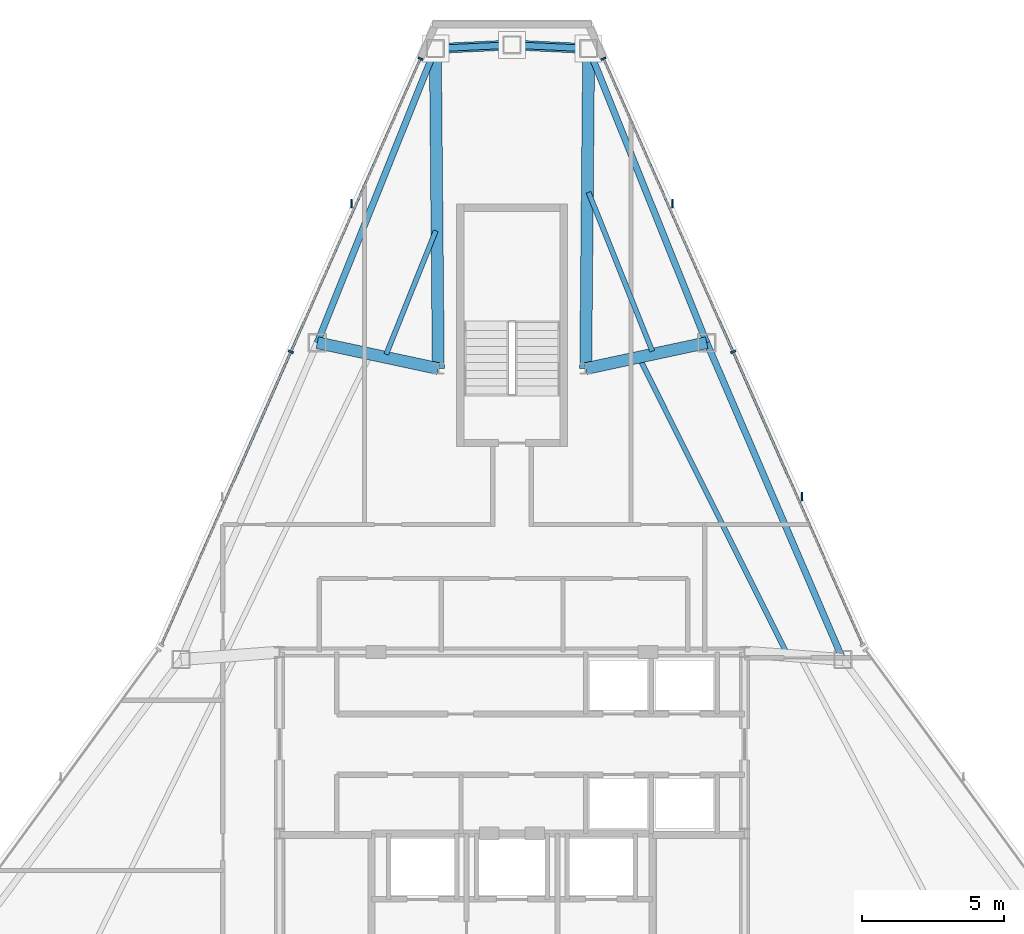
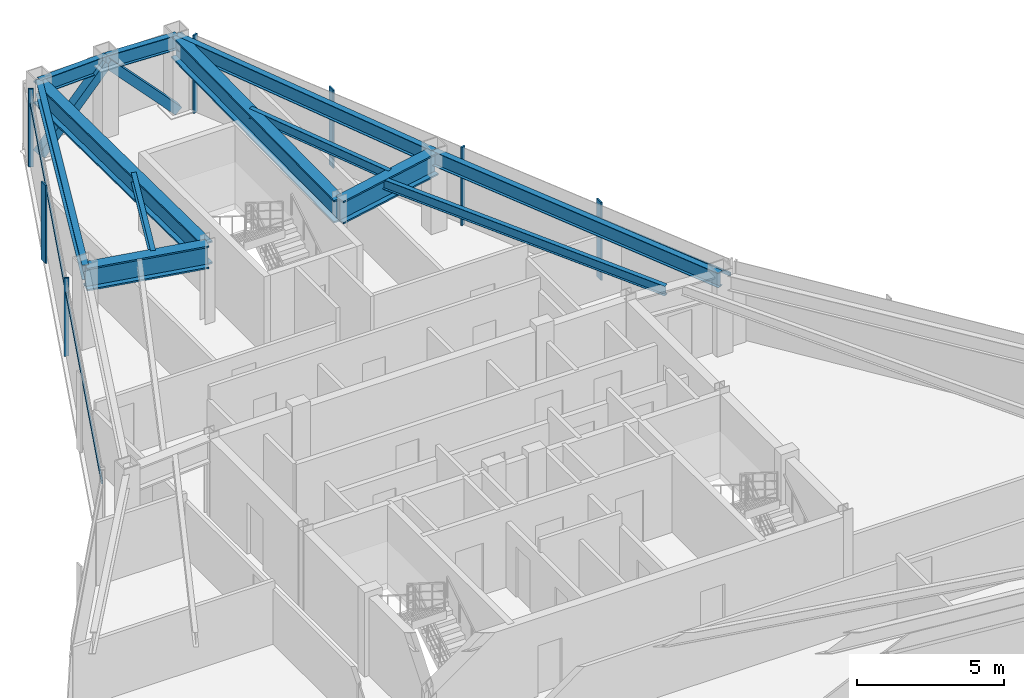
# One storey, part 7 of 12: 12 beams, 11 members, 2 elements without a shape of their own.
"""IFC4 building model written with IfcOpenShell, lengths in metres."""

from ifc_helpers import new_model, si_unit, direction, frame, origin, origin_2d, place, context, subcontext, project, spatial, rectangle, hollow_rectangle, i_section, extrude, source, transform, mapped, material, layer, layer_set, material_profile, profile_set, type_object, type_shapes, element, aggregate, save


model = new_model("IFC4")

# Units and contexts
model_context = context("Model", 3, precision=1e-05, world=origin(), true_north=direction((0.0, 1.0)))
body_context = subcontext(model_context, "Body", "Model", "MODEL_VIEW")
ifc_project = project(units=[si_unit("LENGTHUNIT", "METRE"), si_unit("AREAUNIT", "SQUARE_METRE"), si_unit("VOLUMEUNIT", "CUBIC_METRE"), si_unit("PLANEANGLEUNIT", "RADIAN"), si_unit("MASSUNIT", "GRAM", prefix="KILO")], contexts=[model_context])

# Site, building, storey
site_placement = place(None, origin())
site = spatial("IfcSite", under=ifc_project, at=site_placement, CompositionType="ELEMENT")
building_placement = place(site_placement, origin())
building = spatial("IfcBuilding", under=site, at=building_placement, Name="Varakhsha Concourse Tower", CompositionType="ELEMENT")
storey_placement = place(building_placement, frame((0.0, 0.0, 269.0)))
storey = spatial("IfcBuildingStorey", under=building, at=storey_placement, Name="L76", CompositionType="ELEMENT", Elevation=269.0)

# Beams
ifc_material_1 = material(Name="Structural Steel ASTM A992 Grade 50", Category="steel")
ifc_material_profile_1 = material_profile(ifc_material_1, i_section(OverallWidth=0.177978515625, OverallDepth=0.406982421875, WebThickness=0.008056640625, FlangeThickness=0.012939453125, at=origin_2d()), Name="W16X40")
ifc_profile_set_1 = profile_set([ifc_material_profile_1], Name="Structural Steel ASTM A992 Grade 50")
beam_type_1 = type_object("IfcBeamType", Name="BM-JST-W16X40", PredefinedType="JOIST", material=ifc_profile_set_1)
beam_1_placement = place(storey_placement, frame((37.3134765625, 46.065185546875, 3.04638671875), z_axis=(-0.372581792415, -0.927999357737, 0.0), x_axis=(0.927999357737, -0.372581792415, 0.0)))
element("IfcBeam", 1, at=beam_1_placement, inside=storey, type_object=beam_type_1, Name="BM-TJST-L76-03", PredefinedType="JOIST", context=body_context, shape_type="SweptSolid", body=[
    extrude(i_section(OverallWidth=0.177978515625, OverallDepth=0.406982421875, WebThickness=0.008056640625, FlangeThickness=0.012939453125, at=origin_2d()), origin(), (0.0, 0.0, 1.0), 4.698974609375),
])
beam_2_placement = place(storey_placement, frame((49.677978515625, 31.18310546875, 3.04638671875), z_axis=(-0.446527703162, 0.894769808559, 0.0), x_axis=(-0.894769808559, -0.446527703162, 0.0)))
element("IfcBeam", 2, at=beam_2_placement, inside=storey, type_object=beam_type_1, Name="BM-TJST-L76-17", PredefinedType="JOIST", context=body_context, shape_type="SweptSolid", body=[
    extrude(i_section(OverallWidth=0.177978515625, OverallDepth=0.406982421875, WebThickness=0.008056640625, FlangeThickness=0.012939453125, at=origin_2d()), origin(), (0.0, 0.0, 1.0), 11.534912109375),
])
beam_3_placement = place(storey_placement, frame((44.949462890625, 41.814453125, 3.04638671875), z_axis=(-0.372526263969, 0.928021649884, 0.0), x_axis=(-0.928021649884, -0.372526263969, 0.0)))
element("IfcBeam", 3, at=beam_3_placement, inside=storey, type_object=beam_type_1, Name="BM-TJST-L76-18", PredefinedType="JOIST", context=body_context, shape_type="SweptSolid", body=[
    extrude(i_section(OverallWidth=0.177978515625, OverallDepth=0.406982421875, WebThickness=0.008056640625, FlangeThickness=0.012939453125, at=origin_2d()), origin(), (0.0, 0.0, 1.0), 6.04052734375),
])
ifc_material_profile_2 = material_profile(ifc_material_1, i_section(OverallWidth=0.423095703125, OverallDepth=0.947998046875, WebThickness=0.0380859375, FlangeThickness=0.06396484375, at=origin_2d()), Name="W36X302")
ifc_profile_set_2 = profile_set([ifc_material_profile_2], Name="Structural Steel ASTM A992 Grade 50")
beam_type_2 = type_object("IfcBeamType", Name="BM-OUTR-W36X302", PredefinedType="USERDEFINED", material=ifc_profile_set_2)
for number, where, z_axis, x_axis, name in (
    (4, (42.60009765625, 41.199951171875, 2.77587890625), (0.009168768167, 0.999957965962, 0.0), (-0.999957965962, 0.009168768167, 0.0), "L76 Radial Floor Girder 01"),
    (5, (37.39990234375, 41.199951171875, 2.77587890625), (-0.009168768167, 0.999957965962, 0.0), (-0.999957965962, -0.009168768167, 0.0), "L76 Radial Floor Girder 03"),
):
    element("IfcBeam", number, at=place(storey_placement, frame(where, z_axis=z_axis, x_axis=x_axis)), inside=storey, type_object=beam_type_2, Name=name, ObjectType="GIRDER", PredefinedType="USERDEFINED", context=body_context, shape_type="SweptSolid", body=[
        extrude(i_section(OverallWidth=0.423095703125, OverallDepth=0.947998046875, WebThickness=0.0380859375, FlangeThickness=0.06396484375, at=origin_2d()), origin(), (0.0, 0.0, 1.0), 11.2900390625),
    ])
for number, where, z_axis, x_axis, name in (
    (6, (37.39990234375, 41.199951171875, 2.77587890625), (-0.977799958889, 0.209540545951, 0.0), (-0.209540545951, -0.977799958889, 0.0), "L76 Radial Floor Girder 04"),
    (7, (42.60009765625, 41.199951171875, 2.77587890625), (0.977799958889, 0.209540545951, 0.0), (-0.209540545951, 0.977799958889, 0.0), "L76 Radial Floor Girder 18"),
):
    element("IfcBeam", number, at=place(storey_placement, frame(where, z_axis=z_axis, x_axis=x_axis)), inside=storey, type_object=beam_type_2, Name=name, ObjectType="GIRDER", PredefinedType="USERDEFINED", context=body_context, shape_type="SweptSolid", body=[
        extrude(i_section(OverallWidth=0.423095703125, OverallDepth=0.947998046875, WebThickness=0.0380859375, FlangeThickness=0.06396484375, at=origin_2d()), origin(), (0.0, 0.0, 1.0), 4.36572265625),
    ])
ifc_material_profile_3 = material_profile(ifc_material_1, i_section(OverallWidth=0.22900390625, OverallDepth=0.612060546875, WebThickness=0.011962890625, FlangeThickness=0.02001953125, at=origin_2d()), Name="W24X84")
ifc_profile_set_3 = profile_set([ifc_material_profile_3], Name="Structural Steel ASTM A992 Grade 50")
beam_type_3 = type_object("IfcBeamType", Name="BM-SPAN-W24X84", PredefinedType="SPANDREL", material=ifc_profile_set_3)
for number, where, z_axis, x_axis, name in (
    (8, (42.70361328125, 52.489501953125, 2.944091796875), (-0.998890878877, 0.047085157917, 0.0), (-0.047085157917, -0.998890878877, 0.0), "BM-SPAN-L76-01"),
    (9, (40.0, 52.616943359375, 2.944091796875), (-0.998890878877, -0.047085157917, 0.0), (0.047085157917, -0.998890878877, 0.0), "BM-SPAN-L76-02"),
):
    element("IfcBeam", number, at=place(storey_placement, frame(where, z_axis=z_axis, x_axis=x_axis)), inside=storey, type_object=beam_type_3, Name=name, PredefinedType="SPANDREL", context=body_context, shape_type="SweptSolid", body=[
        extrude(i_section(OverallWidth=0.22900390625, OverallDepth=0.612060546875, WebThickness=0.011962890625, FlangeThickness=0.02001953125, at=origin_2d()), origin(), (0.0, 0.0, 1.0), 2.70654296875),
    ])
beam_4_placement = place(storey_placement, frame((37.29638671875, 52.489501953125, 2.944091796875), z_axis=(-0.372576397184, -0.928001523846, 0.0), x_axis=(0.928001523846, -0.372576397184, 0.0)))
element("IfcBeam", 10, at=beam_4_placement, inside=storey, type_object=beam_type_3, Name="BM-SPAN-L76-03", PredefinedType="SPANDREL", context=body_context, shape_type="SweptSolid", body=[
    extrude(i_section(OverallWidth=0.22900390625, OverallDepth=0.612060546875, WebThickness=0.011962890625, FlangeThickness=0.02001953125, at=origin_2d()), origin(), (0.0, 0.0, 1.0), 11.1796875),
])
beam_5_placement = place(storey_placement, frame((51.6708984375, 30.938232421875, 2.944091796875), z_axis=(-0.394757231192, 0.918785463763, 0.0), x_axis=(-0.918785463763, -0.394757231192, 0.0)))
element("IfcBeam", 11, at=beam_5_placement, inside=storey, type_object=beam_type_3, Name="BM-SPAN-L76-17", PredefinedType="SPANDREL", context=body_context, shape_type="SweptSolid", body=[
    extrude(i_section(OverallWidth=0.22900390625, OverallDepth=0.612060546875, WebThickness=0.011962890625, FlangeThickness=0.02001953125, at=origin_2d()), origin(), (0.0, 0.0, 1.0), 12.16455078125),
])
beam_6_placement = place(storey_placement, frame((46.868896484375, 42.11474609375, 2.944091796875), z_axis=(-0.372576397184, 0.928001523846, 0.0), x_axis=(-0.928001523846, -0.372576397184, 0.0)))
element("IfcBeam", 12, at=beam_6_placement, inside=storey, type_object=beam_type_3, Name="BM-SPAN-L76-18", PredefinedType="SPANDREL", context=body_context, shape_type="SweptSolid", body=[
    extrude(i_section(OverallWidth=0.22900390625, OverallDepth=0.612060546875, WebThickness=0.011962890625, FlangeThickness=0.02001953125, at=origin_2d()), origin(), (0.0, 0.0, 1.0), 11.1796875),
])

# Members
ifc_material_2 = material(Name="Structural Steel ASTM A500 Grade C", Category="steel")
ifc_material_profile_4 = material_profile(ifc_material_2, hollow_rectangle(XDim=0.35009765625, YDim=0.35009765625, WallThickness=0.01611328125, at=origin_2d()), Name="HSS 350x350x16")
ifc_profile_set_4 = profile_set([ifc_material_profile_4], Name="Structural Steel ASTM A500 Grade C")
member_type_1 = type_object("IfcMemberType", Name="MB-TUBE-HSS350", PredefinedType="BRACE", material=ifc_profile_set_4)
shared_shape_1 = source(origin(), body_context, "Body", "SweptSolid", [
    extrude(hollow_rectangle(XDim=0.35009765625, YDim=0.35009765625, WallThickness=0.01611328125, at=origin_2d()), origin(), (0.0, 0.0, 1.0), 3.915771484375),
])
type_shapes(member_type_1, [shared_shape_1])
for number, where, z_axis, x_axis, name in (
    (13, (42.70361328125, 52.489501953125, 0.1201171875), (-0.690431687737, 0.032545181596, 0.722665133878), (-0.047085157917, -0.998890878877, 0.0), "L76 Wind-Corner Tube Brace B01"),
    (14, (37.29638671875, 52.489501953125, 0.1201171875), (0.690431687737, 0.032545181596, 0.722665133878), (-0.047085157917, 0.998890878877, 0.0), "L76 Wind-Corner Tube Brace B02"),
):
    element("IfcMember", number, at=place(storey_placement, frame(where, z_axis=z_axis, x_axis=x_axis)), inside=storey, type_object=member_type_1, Name=name, PredefinedType="BRACE", context=body_context, shape_type="MappedRepresentation", body=[
        mapped(shared_shape_1, transform((0.0, 0.0, 0.0), scale=1.0)),
    ])

# Curtain wall, members
ifc_material_3 = material(Name="Anodised Bronze Architectural Aluminium AA 6063-T6", Category="aluminium")
ifc_layer = layer(ifc_material_3, 0.199951171875, Name="CW-SYS-05")
ifc_layer_set = layer_set([ifc_layer], Name="Anodised Bronze Architectural Aluminium AA 6063-T6")
curtain_wall_type = type_object("IfcCurtainWallType", Name="CW-SYS-05", PredefinedType="NOTDEFINED", material=ifc_layer_set)
curtain_wall_1_placement = place(storey_placement, origin())
curtain_wall_1 = element("IfcCurtainWall", 15, at=curtain_wall_1_placement, inside=storey, type_object=curtain_wall_type, Name="L76 Crystal Curtain Wall F2", PredefinedType="NOTDEFINED")
ifc_material_profile_5 = material_profile(ifc_material_3, rectangle(XDim=0.06494140625, YDim=0.179931640625, at=origin_2d()), Name="CWM-180X65")
ifc_profile_set_5 = profile_set([ifc_material_profile_5], Name="Anodised Bronze Architectural Aluminium AA 6063-T6")
member_type_2 = type_object("IfcMemberType", Name="CWM-180X65", PredefinedType="MULLION", material=ifc_profile_set_5)
shared_shape_2 = source(origin(), body_context, "Body", "SweptSolid", [
    extrude(rectangle(XDim=0.06494140625, YDim=0.179931640625, at=origin_2d()), origin(), (0.0, 0.0, 1.0), 3.25),
])
type_shapes(member_type_2, [shared_shape_2])
member_1_placement = place(storey_placement, frame((32.201904296875, 41.793212890625, 0.0), z_axis=(0.0, 0.0, 1.0), x_axis=(0.404273357549, 0.914638208461, 0.0)))
member_1 = element("IfcMember", 16, at=member_1_placement, type_object=member_type_2, Name="CW-L76-F2 Mullion 01", PredefinedType="MULLION", context=body_context, shape_type="MappedRepresentation", body=[
    mapped(shared_shape_2, transform((0.0, 0.0, 0.0), scale=1.0)),
])
member_2_placement = place(storey_placement, frame((36.772216796875, 52.133544921875, 0.0), z_axis=(0.0, 0.0, 1.0), x_axis=(0.404273357549, 0.914638208461, 0.0)))
member_2 = element("IfcMember", 17, at=member_2_placement, type_object=member_type_2, Name="CW-L76-F2 Mullion 02", PredefinedType="MULLION", context=body_context, shape_type="MappedRepresentation", body=[
    mapped(shared_shape_2, transform((0.0, 0.0, 0.0), scale=1.0)),
])

curtain_wall_2_placement = place(storey_placement, origin())
curtain_wall_2 = element("IfcCurtainWall", 18, at=curtain_wall_2_placement, inside=storey, type_object=curtain_wall_type, Name="L76 Crystal Curtain Wall F9", PredefinedType="NOTDEFINED")
member_3_placement = place(storey_placement, frame((43.227783203125, 52.133544921875, 0.0), z_axis=(0.0, 0.0, 1.0), x_axis=(0.404273357549, -0.914638208461, 0.0)))
member_3 = element("IfcMember", 19, at=member_3_placement, type_object=member_type_2, Name="CW-L76-F9 Mullion 00", PredefinedType="MULLION", context=body_context, shape_type="MappedRepresentation", body=[
    mapped(shared_shape_2, transform((0.0, 0.0, 0.0), scale=1.0)),
])
member_4_placement = place(storey_placement, frame((47.798095703125, 41.793212890625, 0.0), z_axis=(0.0, 0.0, 1.0), x_axis=(0.404273357549, -0.914638208461, 0.0)))
member_4 = element("IfcMember", 20, at=member_4_placement, type_object=member_type_2, Name="CW-L76-F9 Mullion 01", PredefinedType="MULLION", context=body_context, shape_type="MappedRepresentation", body=[
    mapped(shared_shape_2, transform((0.0, 0.0, 0.0), scale=1.0)),
])

# Member
ifc_material_profile_6 = material_profile(ifc_material_3, rectangle(XDim=0.054931640625, YDim=0.300048828125, at=origin_2d()), Name="FIN-BRZ-300")
ifc_profile_set_6 = profile_set([ifc_material_profile_6], Name="Anodised Bronze Architectural Aluminium AA 6063-T6")
member_type_3 = type_object("IfcMemberType", Name="FIN-BRZ-300", PredefinedType="USERDEFINED", material=ifc_profile_set_6)
shared_shape_3 = source(origin(), body_context, "Body", "SweptSolid", [
    extrude(rectangle(XDim=0.054931640625, YDim=0.300048828125, at=origin_2d()), origin(), (0.0, 0.0, 1.0), 3.25),
])
type_shapes(member_type_3, [shared_shape_3])
member_5_placement = place(storey_placement, frame((34.336181640625, 47.030029296875, 0.0), z_axis=(0.0, 0.0, 1.0), x_axis=(1.0, 0.0, 0.0)))
member_5 = element("IfcMember", 21, at=member_5_placement, type_object=member_type_3, Name="L76 Anodised Bronze Solar Fin F2-2", ObjectType="SOLAR FIN", PredefinedType="USERDEFINED", context=body_context, shape_type="MappedRepresentation", body=[
    mapped(shared_shape_3, transform((0.0, 0.0, 0.0), scale=1.0)),
])

member_6_placement = place(storey_placement, frame((45.663818359375, 47.030029296875, 0.0), z_axis=(0.0, 0.0, 1.0), x_axis=(1.0, 0.0, 0.0)))
member_6 = element("IfcMember", 22, at=member_6_placement, type_object=member_type_3, Name="L76 Anodised Bronze Solar Fin F9-1", ObjectType="SOLAR FIN", PredefinedType="USERDEFINED", context=body_context, shape_type="MappedRepresentation", body=[
    mapped(shared_shape_3, transform((0.0, 0.0, 0.0), scale=1.0)),
])

member_7_placement = place(storey_placement, frame((50.234375, 36.689697265625, 0.0), z_axis=(0.0, 0.0, 1.0), x_axis=(1.0, 0.0, 0.0)))
member_7 = element("IfcMember", 23, at=member_7_placement, type_object=member_type_3, Name="L76 Anodised Bronze Solar Fin F9-2", ObjectType="SOLAR FIN", PredefinedType="USERDEFINED", context=body_context, shape_type="MappedRepresentation", body=[
    mapped(shared_shape_3, transform((0.0, 0.0, 0.0), scale=1.0)),
])

ifc_material_profile_7 = material_profile(ifc_material_3, rectangle(XDim=0.06005859375, YDim=0.139892578125, at=origin_2d()), Name="CWT-140X60")
ifc_profile_set_7 = profile_set([ifc_material_profile_7], Name="Anodised Bronze Architectural Aluminium AA 6063-T6")
member_type_4 = type_object("IfcMemberType", Name="CWT-140X60", PredefinedType="USERDEFINED", material=ifc_profile_set_7)
shared_shape_4 = source(origin(), body_context, "Body", "SweptSolid", [
    extrude(rectangle(XDim=0.06005859375, YDim=0.139892578125, at=origin_2d()), origin(), (0.0, 0.0, 1.0), 22.61083984375),
])
type_shapes(member_type_4, [shared_shape_4])
member_8_placement = place(storey_placement, frame((27.63134765625, 31.45263671875, 2.60009765625), z_axis=(0.404267208087, 0.91464092652, 0.0), x_axis=(-0.91464092652, 0.404267208087, 0.0)))
member_8 = element("IfcMember", 24, at=member_8_placement, type_object=member_type_4, Name="CW-L76-F2 Transom 01", ObjectType="TRANSOM", PredefinedType="USERDEFINED", context=body_context, shape_type="MappedRepresentation", body=[
    mapped(shared_shape_4, transform((0.0, 0.0, 0.0), scale=1.0)),
])

aggregate(curtain_wall_1, [member_1, member_2, member_8, member_5])

member_9_placement = place(storey_placement, frame((43.227783203125, 52.133544921875, 2.60009765625), z_axis=(0.404267208087, -0.91464092652, 0.0), x_axis=(0.91464092652, 0.404267208087, 0.0)))
member_9 = element("IfcMember", 25, at=member_9_placement, type_object=member_type_4, Name="CW-L76-F9 Transom 01", ObjectType="TRANSOM", PredefinedType="USERDEFINED", context=body_context, shape_type="MappedRepresentation", body=[
    mapped(shared_shape_4, transform((0.0, 0.0, 0.0), scale=1.0)),
])

aggregate(curtain_wall_2, [member_3, member_4, member_9, member_6, member_7])

save(model, "model.ifc")
